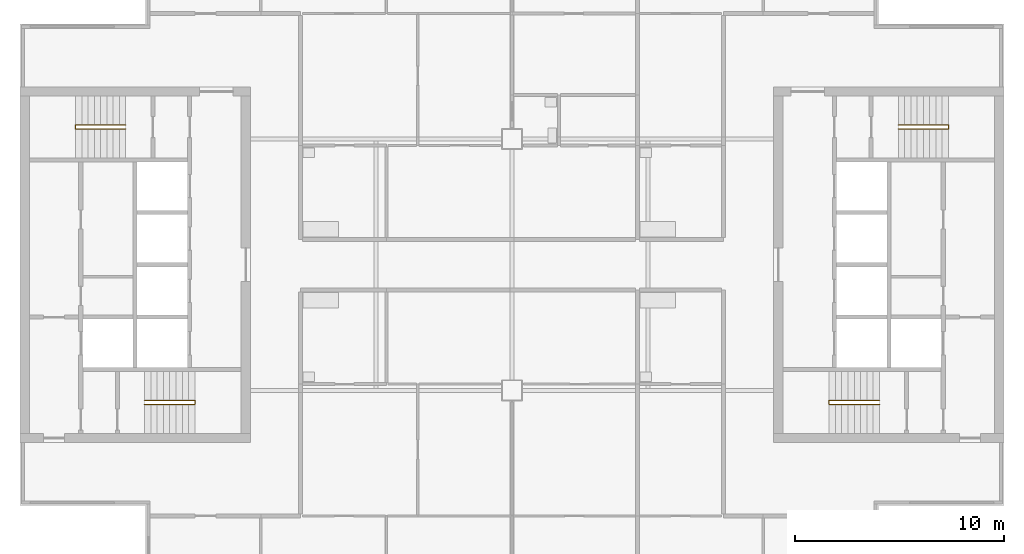
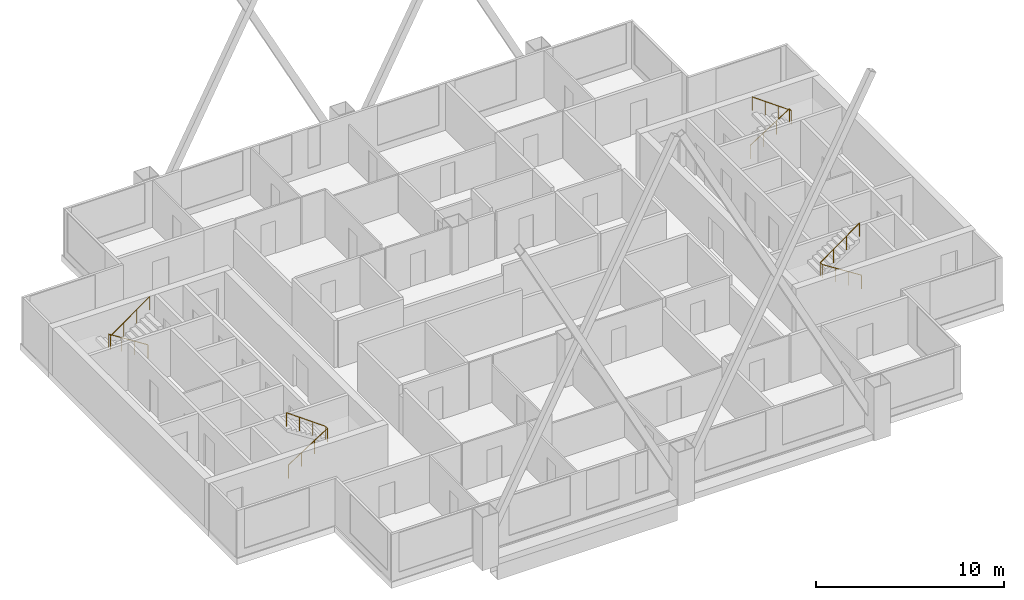
# One storey, part 7 of 8: 4 railings.
"""IFC4 building model written with IfcOpenShell, lengths in metres."""

from ifc_helpers import new_model, si_unit, direction, frame, origin, origin_2d, place, context, subcontext, project, spatial, circle, extrude, material, type_object, element, save


model = new_model("IFC4")

# Units and contexts
model_context = context("Model", 3, precision=1e-05, world=origin(), true_north=direction((0.0, 1.0)))
body_context = subcontext(model_context, "Body", "Model", "MODEL_VIEW")
ifc_project = project(units=[si_unit("LENGTHUNIT", "METRE"), si_unit("AREAUNIT", "SQUARE_METRE"), si_unit("VOLUMEUNIT", "CUBIC_METRE"), si_unit("PLANEANGLEUNIT", "RADIAN"), si_unit("MASSUNIT", "GRAM", prefix="KILO")], contexts=[model_context])

# Site, building, storey
site_placement = place(None, origin())
site = spatial("IfcSite", under=ifc_project, at=site_placement, CompositionType="ELEMENT")
building_placement = place(site_placement, origin())
building = spatial("IfcBuilding", under=site, at=building_placement, Name="Kitamizu Gate Tower and Museum", CompositionType="ELEMENT")
storey_placement = place(building_placement, frame((0.0, 0.0, 259.35009765625)))
storey = spatial("IfcBuildingStorey", under=building, at=storey_placement, Name="L70", CompositionType="ELEMENT", Elevation=259.35009765625)

# Railings
ifc_material = material(Name="Stainless steel SUS304", Category="steel")
railing_type = type_object("IfcRailingType", Name="Stair handrail 900", PredefinedType="HANDRAIL", material=ifc_material)
railing_1_placement = place(storey_placement, frame((18.449951171875, 23.324951171875, 0.191650390625)))
element("IfcRailing", 1, at=railing_1_placement, inside=storey, type_object=railing_type, Name="Stair handrail ST1", PredefinedType="HANDRAIL", context=body_context, shape_type="SweptSolid", body=[
    extrude(circle(Radius=0.02392578125, at=origin_2d()), frame((0.0, 0.0, 0.8759765625), z_axis=(0.842731908877, 0.0, 0.538333474494), x_axis=(0.0, 1.0, 0.0)), (0.0, 0.0, 1.0), 2.84814453125),
    extrude(circle(Radius=0.02392578125, at=origin_2d()), frame((2.400146484375, 0.0, 2.4091796875), z_axis=(0.0, 1.0, 0.0), x_axis=(-1.0, 0.0, 0.0)), (0.0, 0.0, 1.0), 0.199951171875),
    extrude(circle(Radius=0.02392578125, at=origin_2d()), frame((2.400146484375, 0.199951171875, 2.4091796875), z_axis=(-0.812016594614, 0.0, 0.583634346205), x_axis=(0.0, -1.0, 0.0)), (0.0, 0.0, 1.0), 2.955810546875),
    extrude(circle(Radius=0.02099609375, at=origin_2d()), origin(), (0.0, 0.0, 1.0), 0.851806640625),
    extrude(circle(Radius=0.02099609375, at=origin_2d()), frame((0.800048828125, 0.0, 0.510986328125)), (0.0, 0.0, 1.0), 0.851806640625),
    extrude(circle(Radius=0.02099609375, at=origin_2d()), frame((1.60009765625, 0.0, 1.022216796875)), (0.0, 0.0, 1.0), 0.851806640625),
    extrude(circle(Radius=0.02099609375, at=origin_2d()), frame((2.400146484375, 0.0, 1.533203125)), (0.0, 0.0, 1.0), 0.851806640625),
    extrude(circle(Radius=0.02099609375, at=origin_2d()), frame((2.400146484375, 0.199951171875, 1.533203125)), (0.0, 0.0, 1.0), 0.851806640625),
    extrude(circle(Radius=0.02099609375, at=origin_2d()), frame((1.60009765625, 0.199951171875, 2.108154296875)), (0.0, 0.0, 1.0), 0.851806640625),
    extrude(circle(Radius=0.02099609375, at=origin_2d()), frame((0.800048828125, 0.199951171875, 2.683349609375)), (0.0, 0.0, 1.0), 0.851806640625),
    extrude(circle(Radius=0.02099609375, at=origin_2d()), frame((0.0, 0.199951171875, 3.25830078125)), (0.0, 0.0, 1.0), 0.851806640625),
])
railing_2_placement = place(storey_placement, frame((17.550048828125, 36.675048828125, 0.191650390625)))
element("IfcRailing", 2, at=railing_2_placement, inside=storey, type_object=railing_type, Name="Stair handrail ST2", PredefinedType="HANDRAIL", context=body_context, shape_type="SweptSolid", body=[
    extrude(circle(Radius=0.02392578125, at=origin_2d()), frame((0.0, 0.0, 0.8759765625), z_axis=(-0.842731908877, 0.0, 0.538333474494), x_axis=(0.0, -1.0, 0.0)), (0.0, 0.0, 1.0), 2.84814453125),
    extrude(circle(Radius=0.02392578125, at=origin_2d()), frame((-2.400146484375, 0.0, 2.4091796875), z_axis=(0.0, -1.0, 0.0), x_axis=(1.0, 0.0, 0.0)), (0.0, 0.0, 1.0), 0.199951171875),
    extrude(circle(Radius=0.02392578125, at=origin_2d()), frame((-2.400146484375, -0.199951171875, 2.4091796875), z_axis=(0.812016594614, 0.0, 0.583634346205), x_axis=(0.0, 1.0, 0.0)), (0.0, 0.0, 1.0), 2.955810546875),
    extrude(circle(Radius=0.02099609375, at=origin_2d()), origin(), (0.0, 0.0, 1.0), 0.851806640625),
    extrude(circle(Radius=0.02099609375, at=origin_2d()), frame((-0.800048828125, 0.0, 0.510986328125)), (0.0, 0.0, 1.0), 0.851806640625),
    extrude(circle(Radius=0.02099609375, at=origin_2d()), frame((-1.60009765625, 0.0, 1.022216796875)), (0.0, 0.0, 1.0), 0.851806640625),
    extrude(circle(Radius=0.02099609375, at=origin_2d()), frame((-2.400146484375, 0.0, 1.533203125)), (0.0, 0.0, 1.0), 0.851806640625),
    extrude(circle(Radius=0.02099609375, at=origin_2d()), frame((-2.400146484375, -0.199951171875, 1.533203125)), (0.0, 0.0, 1.0), 0.851806640625),
    extrude(circle(Radius=0.02099609375, at=origin_2d()), frame((-1.60009765625, -0.199951171875, 2.108154296875)), (0.0, 0.0, 1.0), 0.851806640625),
    extrude(circle(Radius=0.02099609375, at=origin_2d()), frame((-0.800048828125, -0.199951171875, 2.683349609375)), (0.0, 0.0, 1.0), 0.851806640625),
    extrude(circle(Radius=0.02099609375, at=origin_2d()), frame((0.0, -0.199951171875, 3.25830078125)), (0.0, 0.0, 1.0), 0.851806640625),
])
railing_3_placement = place(storey_placement, frame((53.550048828125, 23.324951171875, 0.191650390625)))
element("IfcRailing", 3, at=railing_3_placement, inside=storey, type_object=railing_type, Name="Stair handrail ST3", PredefinedType="HANDRAIL", context=body_context, shape_type="SweptSolid", body=[
    extrude(circle(Radius=0.02392578125, at=origin_2d()), frame((0.0, 0.0, 0.8759765625), z_axis=(-0.842731908877, 0.0, 0.538333474494), x_axis=(0.0, -1.0, 0.0)), (0.0, 0.0, 1.0), 2.84814453125),
    extrude(circle(Radius=0.02392578125, at=origin_2d()), frame((-2.400146484375, 0.0, 2.4091796875), z_axis=(0.0, 1.0, 0.0), x_axis=(-1.0, 0.0, 0.0)), (0.0, 0.0, 1.0), 0.199951171875),
    extrude(circle(Radius=0.02392578125, at=origin_2d()), frame((-2.400146484375, 0.199951171875, 2.4091796875), z_axis=(0.812016594614, 0.0, 0.583634346205), x_axis=(0.0, 1.0, 0.0)), (0.0, 0.0, 1.0), 2.955810546875),
    extrude(circle(Radius=0.02099609375, at=origin_2d()), origin(), (0.0, 0.0, 1.0), 0.851806640625),
    extrude(circle(Radius=0.02099609375, at=origin_2d()), frame((-0.800048828125, 0.0, 0.510986328125)), (0.0, 0.0, 1.0), 0.851806640625),
    extrude(circle(Radius=0.02099609375, at=origin_2d()), frame((-1.60009765625, 0.0, 1.022216796875)), (0.0, 0.0, 1.0), 0.851806640625),
    extrude(circle(Radius=0.02099609375, at=origin_2d()), frame((-2.400146484375, 0.0, 1.533203125)), (0.0, 0.0, 1.0), 0.851806640625),
    extrude(circle(Radius=0.02099609375, at=origin_2d()), frame((-2.400146484375, 0.199951171875, 1.533203125)), (0.0, 0.0, 1.0), 0.851806640625),
    extrude(circle(Radius=0.02099609375, at=origin_2d()), frame((-1.60009765625, 0.199951171875, 2.108154296875)), (0.0, 0.0, 1.0), 0.851806640625),
    extrude(circle(Radius=0.02099609375, at=origin_2d()), frame((-0.800048828125, 0.199951171875, 2.683349609375)), (0.0, 0.0, 1.0), 0.851806640625),
    extrude(circle(Radius=0.02099609375, at=origin_2d()), frame((0.0, 0.199951171875, 3.25830078125)), (0.0, 0.0, 1.0), 0.851806640625),
])
railing_4_placement = place(storey_placement, frame((54.449951171875, 36.675048828125, 0.191650390625)))
element("IfcRailing", 4, at=railing_4_placement, inside=storey, type_object=railing_type, Name="Stair handrail ST4", PredefinedType="HANDRAIL", context=body_context, shape_type="SweptSolid", body=[
    extrude(circle(Radius=0.02392578125, at=origin_2d()), frame((0.0, 0.0, 0.8759765625), z_axis=(0.842731908877, 0.0, 0.538333474494), x_axis=(0.0, 1.0, 0.0)), (0.0, 0.0, 1.0), 2.84814453125),
    extrude(circle(Radius=0.02392578125, at=origin_2d()), frame((2.400146484375, 0.0, 2.4091796875), z_axis=(0.0, -1.0, 0.0), x_axis=(1.0, 0.0, 0.0)), (0.0, 0.0, 1.0), 0.199951171875),
    extrude(circle(Radius=0.02392578125, at=origin_2d()), frame((2.400146484375, -0.199951171875, 2.4091796875), z_axis=(-0.812016594614, 0.0, 0.583634346205), x_axis=(0.0, -1.0, 0.0)), (0.0, 0.0, 1.0), 2.955810546875),
    extrude(circle(Radius=0.02099609375, at=origin_2d()), origin(), (0.0, 0.0, 1.0), 0.851806640625),
    extrude(circle(Radius=0.02099609375, at=origin_2d()), frame((0.800048828125, 0.0, 0.510986328125)), (0.0, 0.0, 1.0), 0.851806640625),
    extrude(circle(Radius=0.02099609375, at=origin_2d()), frame((1.60009765625, 0.0, 1.022216796875)), (0.0, 0.0, 1.0), 0.851806640625),
    extrude(circle(Radius=0.02099609375, at=origin_2d()), frame((2.400146484375, 0.0, 1.533203125)), (0.0, 0.0, 1.0), 0.851806640625),
    extrude(circle(Radius=0.02099609375, at=origin_2d()), frame((2.400146484375, -0.199951171875, 1.533203125)), (0.0, 0.0, 1.0), 0.851806640625),
    extrude(circle(Radius=0.02099609375, at=origin_2d()), frame((1.60009765625, -0.199951171875, 2.108154296875)), (0.0, 0.0, 1.0), 0.851806640625),
    extrude(circle(Radius=0.02099609375, at=origin_2d()), frame((0.800048828125, -0.199951171875, 2.683349609375)), (0.0, 0.0, 1.0), 0.851806640625),
    extrude(circle(Radius=0.02099609375, at=origin_2d()), frame((0.0, -0.199951171875, 3.25830078125)), (0.0, 0.0, 1.0), 0.851806640625),
])

save(model, "model.ifc")
